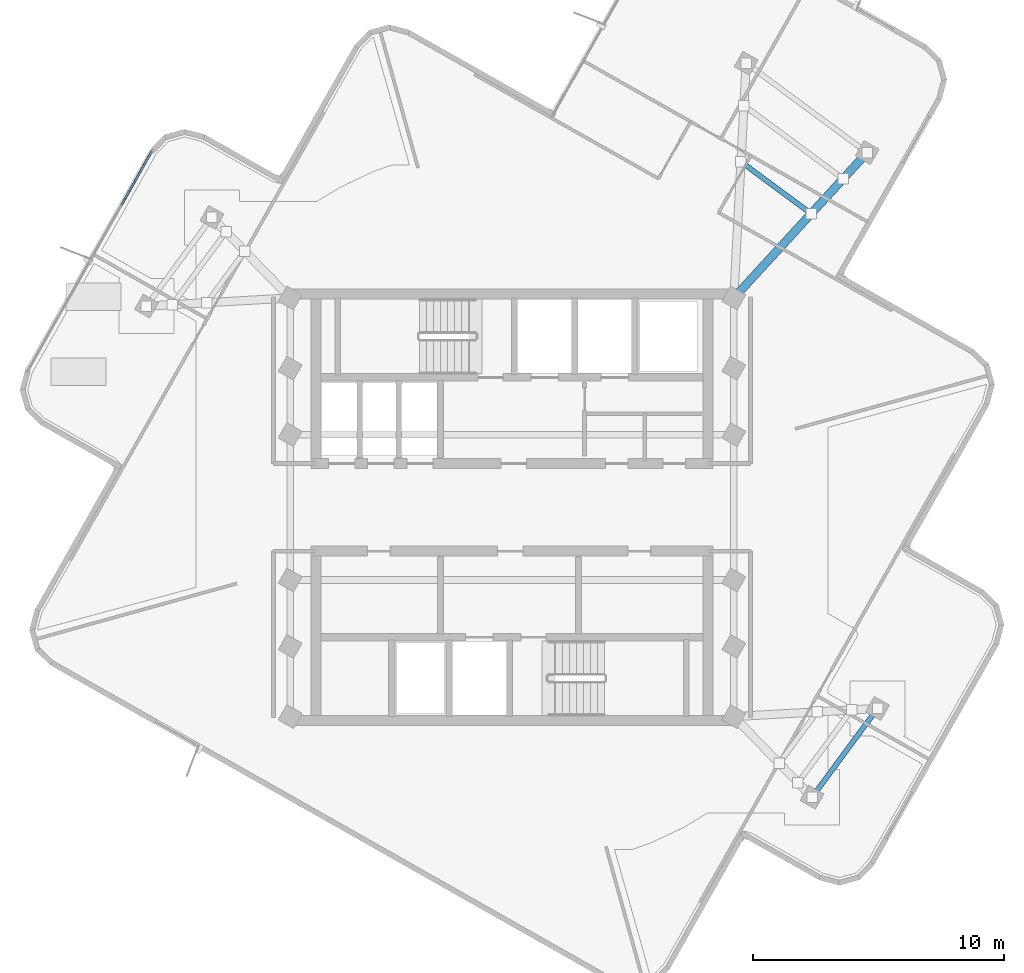
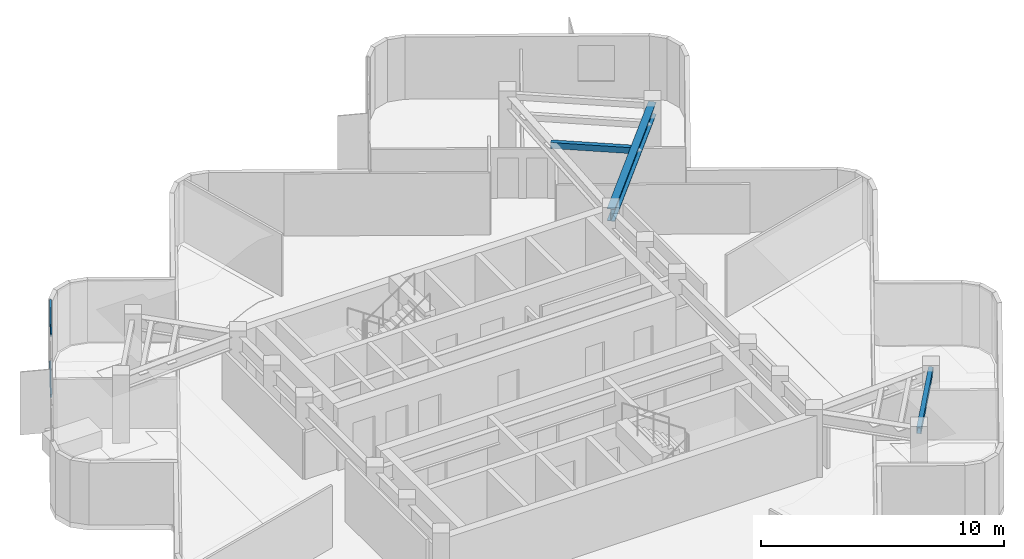
# One storey, part 3 of 11: 3 beams, 2 members, 1 element without a shape of its own.
"""IFC4 building model written with IfcOpenShell, lengths in metres."""

from ifc_helpers import new_model, si_unit, direction, frame, origin, origin_2d, place, context, subcontext, project, spatial, rectangle, hollow_rectangle, i_section, extrude, material, layer, layer_set, material_profile, profile_set, type_object, element, aggregate, save


model = new_model("IFC4")

# Units and contexts
model_context = context("Model", 3, precision=1e-05, world=origin(), true_north=direction((0.0, 1.0)))
body_context = subcontext(model_context, "Body", "Model", "MODEL_VIEW")
ifc_project = project(units=[si_unit("LENGTHUNIT", "METRE"), si_unit("AREAUNIT", "SQUARE_METRE"), si_unit("VOLUMEUNIT", "CUBIC_METRE"), si_unit("PLANEANGLEUNIT", "RADIAN"), si_unit("MASSUNIT", "GRAM", prefix="KILO")], contexts=[model_context])

# Site, building, storey
site_placement = place(None, origin())
site = spatial("IfcSite", under=ifc_project, at=site_placement, CompositionType="ELEMENT")
building_placement = place(site_placement, origin())
building = spatial("IfcBuilding", under=site, at=building_placement, Name="Solmarez Civic Tower", CompositionType="ELEMENT")
storey_placement = place(building_placement, frame((0.0, 0.0, 281.699951171875)))
storey = spatial("IfcBuildingStorey", under=building, at=storey_placement, Name="L76", CompositionType="ELEMENT", Elevation=281.699951171875)

# Beams
ifc_material_1 = material(Name="Steel S355", Category="steel")
ifc_material_profile_1 = material_profile(ifc_material_1, hollow_rectangle(XDim=0.199951171875, YDim=0.300048828125, WallThickness=0.011962890625, at=origin_2d()), Name="HSS300X200X12")
ifc_profile_set_1 = profile_set([ifc_material_profile_1], Name="Steel S355")
beam_type_1 = type_object("IfcBeamType", Name="BM-JS-HSS300X200", PredefinedType="JOIST", material=ifc_profile_set_1)
beam_1_placement = place(storey_placement, frame((11.93505859375, 11.715087890625, 2.969970703125), z_axis=(-0.8046818189, 0.593706299724, 0.0), x_axis=(-0.593706299724, -0.8046818189, 0.0)))
element("IfcBeam", 1, at=beam_1_placement, inside=storey, type_object=beam_type_1, Name="L76 Secondary Floor Joist JS-L76-EA-M11", PredefinedType="JOIST", context=body_context, shape_type="SweptSolid", body=[
    extrude(hollow_rectangle(XDim=0.199951171875, YDim=0.300048828125, WallThickness=0.011962890625, at=origin_2d()), origin(), (0.0, 0.0, 1.0), 3.479736328125),
])
beam_2_placement = place(storey_placement, frame((11.970947265625, -11.56591796875, 2.969970703125), z_axis=(0.593730834471, 0.804663716219, 0.0), x_axis=(-0.804663716219, 0.593730834471, 0.0)))
element("IfcBeam", 2, at=beam_2_placement, inside=storey, type_object=beam_type_1, Name="L76 Secondary Floor Joist BM-L76-SA-T1", PredefinedType="JOIST", context=body_context, shape_type="SweptSolid", body=[
    extrude(hollow_rectangle(XDim=0.199951171875, YDim=0.300048828125, WallThickness=0.011962890625, at=origin_2d()), origin(), (0.0, 0.0, 1.0), 4.3994140625),
])
ifc_material_profile_2 = material_profile(ifc_material_1, i_section(OverallWidth=0.327880859375, OverallDepth=0.6220703125, WebThickness=0.015380859375, FlangeThickness=0.0244140625, at=origin_2d()), Name="W24X131")
ifc_profile_set_2 = profile_set([ifc_material_profile_2], Name="Steel S355")
beam_type_2 = type_object("IfcBeamType", Name="BM-PR-W24X131", PredefinedType="BEAM", material=ifc_profile_set_2)
beam_3_placement = place(storey_placement, frame((8.85009765625, 8.35009765625, 2.80908203125), z_axis=(0.67574850583, 0.737132251953, 0.0), x_axis=(-0.737132251953, 0.67574850583, 0.0)))
element("IfcBeam", 3, at=beam_3_placement, inside=storey, type_object=beam_type_2, Name="L76 Primary Floor Beam BM-L76-EA-R1A", PredefinedType="BEAM", context=body_context, shape_type="SweptSolid", body=[
    extrude(i_section(OverallWidth=0.327880859375, OverallDepth=0.6220703125, WebThickness=0.015380859375, FlangeThickness=0.0244140625, at=origin_2d()), origin(), (0.0, 0.0, 1.0), 7.87109375),
])

# Curtain wall, members
ifc_material_2 = material(Name="Bronze Anodised Aluminium EN AW-6063 T6", Category="aluminium")
ifc_layer = layer(ifc_material_2, 0.1650390625)
ifc_layer_set = layer_set([ifc_layer], Name="Bronze Anodised Aluminium EN AW-6063 T6")
curtain_wall_type = type_object("IfcCurtainWallType", Name="CW-SYS-4", PredefinedType="NOTDEFINED", material=ifc_layer_set)
curtain_wall_placement = place(storey_placement, origin())
curtain_wall = element("IfcCurtainWall", 4, at=curtain_wall_placement, inside=storey, type_object=curtain_wall_type, Name="L76 Stick-Built Curtain Wall 1", PredefinedType="NOTDEFINED")
ifc_material_profile_3 = material_profile(ifc_material_2, rectangle(XDim=0.070068359375, YDim=0.139892578125, at=origin_2d()), Name="CWT-70X140")
ifc_profile_set_3 = profile_set([ifc_material_profile_3], Name="Bronze Anodised Aluminium EN AW-6063 T6")
member_type = type_object("IfcMemberType", Name="CWT-TYPE-1", PredefinedType="USERDEFINED", material=ifc_profile_set_3)
member_1_placement = place(storey_placement, frame((-15.583984375, 12.0546875, 0.03515625), z_axis=(0.492633953068, 0.870236627754, 0.0), x_axis=(-0.870236627754, 0.492633953068, 0.0)))
member_1 = element("IfcMember", 5, at=member_1_placement, type_object=member_type, Name="CWS4 transom 4.1", ObjectType="TRANSOM", PredefinedType="USERDEFINED", context=body_context, shape_type="SweptSolid", body=[
    extrude(rectangle(XDim=0.070068359375, YDim=0.139892578125, at=origin_2d()), origin(), (0.0, 0.0, 1.0), 2.440673828125),
])
member_2_placement = place(storey_placement, frame((-15.583984375, 12.0546875, 3.0849609375), z_axis=(0.492633953068, 0.870236627754, 0.0), x_axis=(-0.870236627754, 0.492633953068, 0.0)))
member_2 = element("IfcMember", 6, at=member_2_placement, type_object=member_type, Name="CWS4 transom 4.2", ObjectType="TRANSOM", PredefinedType="USERDEFINED", context=body_context, shape_type="SweptSolid", body=[
    extrude(rectangle(XDim=0.070068359375, YDim=0.139892578125, at=origin_2d()), origin(), (0.0, 0.0, 1.0), 2.440673828125),
])
aggregate(curtain_wall, [member_1, member_2])

save(model, "model.ifc")
